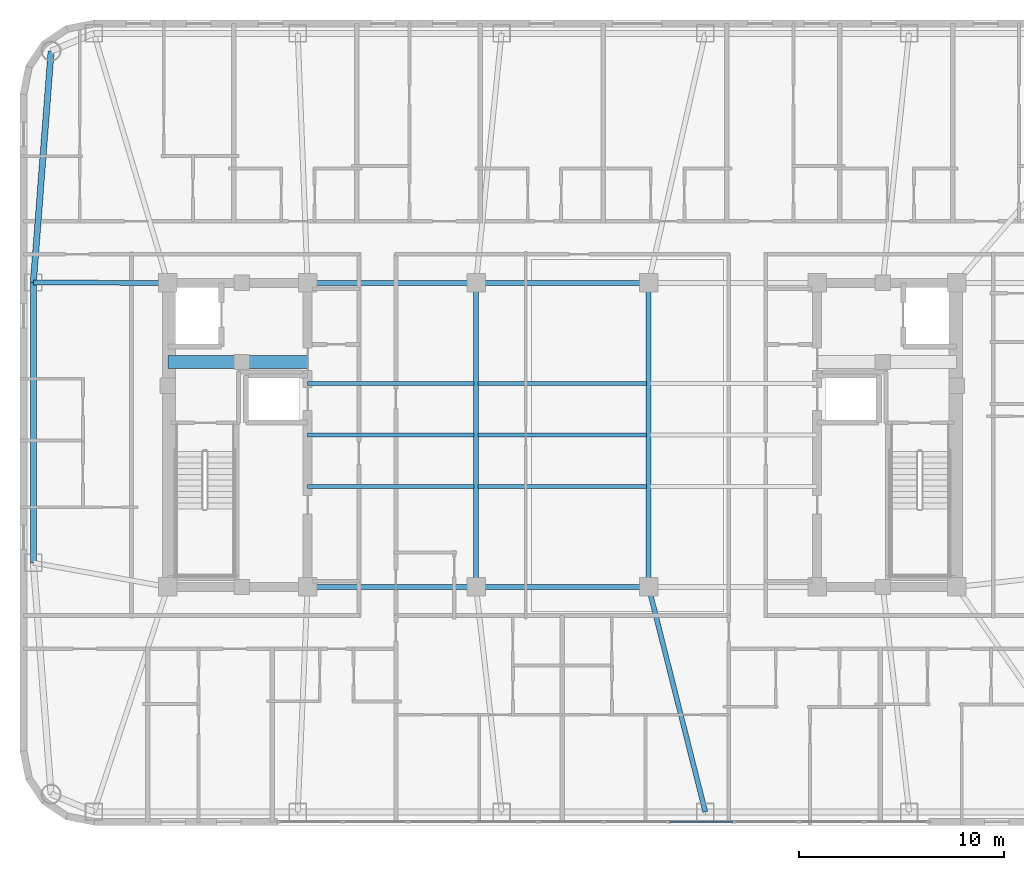
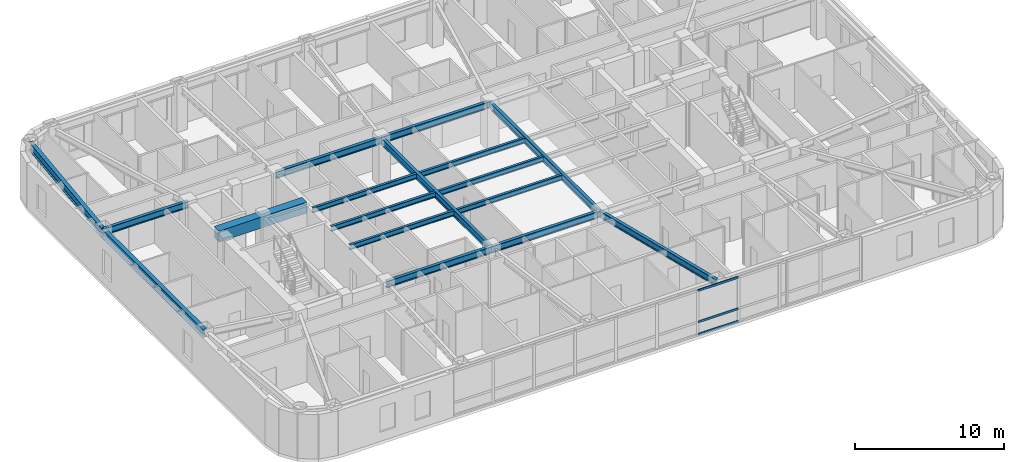
# One storey, part 5 of 16: 17 beams, 3 members, 1 element without a shape of its own.
"""IFC4 building model written with IfcOpenShell, lengths in metres."""

from ifc_helpers import new_model, si_unit, direction, frame, origin, origin_2d, place, context, subcontext, project, spatial, rectangle, hollow_rectangle, i_section, extrude, material, layer, layer_set, material_profile, profile_set, type_object, element, aggregate, save


model = new_model("IFC4")

# Units and contexts
model_context = context("Model", 3, precision=1e-05, world=origin(), true_north=direction((0.0, 1.0)))
body_context = subcontext(model_context, "Body", "Model", "MODEL_VIEW")
ifc_project = project(units=[si_unit("LENGTHUNIT", "METRE"), si_unit("AREAUNIT", "SQUARE_METRE"), si_unit("VOLUMEUNIT", "CUBIC_METRE"), si_unit("PLANEANGLEUNIT", "RADIAN"), si_unit("MASSUNIT", "GRAM", prefix="KILO")], contexts=[model_context])

# Site, building, storey
site_placement = place(None, origin())
site = spatial("IfcSite", under=ifc_project, at=site_placement, CompositionType="ELEMENT")
building_placement = place(site_placement, origin())
building = spatial("IfcBuilding", under=site, at=building_placement, Name="Voryun Gate Residences", CompositionType="ELEMENT")
storey_placement = place(building_placement, frame((0.0, 0.0, 208.0)))
storey = spatial("IfcBuildingStorey", under=building, at=storey_placement, Name="L51", CompositionType="ELEMENT", Elevation=208.0)

# Beams
ifc_material_1 = material(Name="Concrete C60/75", Category="concrete")
ifc_material_profile_1 = material_profile(ifc_material_1, rectangle(XDim=0.64990234375, YDim=0.89990234375, at=origin_2d()), Name="RC-650x900")
ifc_profile_set_1 = profile_set([ifc_material_profile_1], Name="Concrete C60/75")
beam_type_1 = type_object("IfcBeamType", Name="BM_COUP_RC900", PredefinedType="LINTEL", material=ifc_profile_set_1)
beam_1_placement = place(storey_placement, frame((-19.199951171875, 3.550048828125, 3.199951171875), z_axis=(1.0, 0.0, 0.0), x_axis=(0.0, 1.0, 0.0)))
element("IfcBeam", 1, at=beam_1_placement, inside=storey, type_object=beam_type_1, Name="BM-L51-WC1", PredefinedType="LINTEL", context=body_context, shape_type="SweptSolid", body=[
    extrude(rectangle(XDim=0.64990234375, YDim=0.89990234375, at=origin_2d()), origin(), (0.0, 0.0, 1.0), 6.800048828125),
])
ifc_material_2 = material(Name="Steel SM355", Category="steel")
ifc_material_profile_2 = material_profile(ifc_material_2, i_section(OverallWidth=0.300048828125, OverallDepth=0.679931640625, WebThickness=0.013916015625, FlangeThickness=0.02490234375, FilletRadius=0.01806640625, at=origin_2d()), Name="H-680x300x14x25")
ifc_profile_set_2 = profile_set([ifc_material_profile_2], Name="Steel SM355")
beam_type_2 = type_object("IfcBeamType", Name="BM_EXO_SPANDREL_M", PredefinedType="SPANDREL", material=ifc_profile_set_2)
beam_2_placement = place(storey_placement, frame((-24.885986328125, 18.68603515625, 3.31005859375), z_axis=(-0.076481657417, -0.997070988485, 0.0), x_axis=(0.997070988485, -0.076481657417, 0.0)))
element("IfcBeam", 2, at=beam_2_placement, inside=storey, type_object=beam_type_2, Name="BM-L51-SPAND-17", PredefinedType="SPANDREL", context=body_context, shape_type="SweptSolid", body=[
    extrude(i_section(OverallWidth=0.300048828125, OverallDepth=0.679931640625, WebThickness=0.013916015625, FlangeThickness=0.02490234375, FilletRadius=0.01806640625, at=origin_2d()), origin(), (0.0, 0.0, 1.0), 11.297119140625),
])
beam_3_placement = place(storey_placement, frame((-25.75, 7.422119140625, 3.31005859375), z_axis=(0.0, -1.0, 0.0), x_axis=(1.0, 0.0, 0.0)))
element("IfcBeam", 3, at=beam_3_placement, inside=storey, type_object=beam_type_2, Name="BM-L51-SPAND-18", PredefinedType="SPANDREL", context=body_context, shape_type="SweptSolid", body=[
    extrude(i_section(OverallWidth=0.300048828125, OverallDepth=0.679931640625, WebThickness=0.013916015625, FlangeThickness=0.02490234375, FilletRadius=0.01806640625, at=origin_2d()), origin(), (0.0, 0.0, 1.0), 13.64404296875),
])
ifc_material_3 = material(Name="Steel SM355", Category="steel")
ifc_material_profile_3 = material_profile(ifc_material_3, i_section(OverallWidth=0.239990234375, OverallDepth=0.550048828125, WebThickness=0.011962890625, FlangeThickness=0.02001953125, FilletRadius=0.01806640625, at=origin_2d()), Name="H-550x240x12x20")
ifc_profile_set_3 = profile_set([ifc_material_profile_3], Name="Steel SM355")
beam_type_3 = type_object("IfcBeamType", Name="BM_GIRD_550", PredefinedType="USERDEFINED", material=ifc_profile_set_3)
beam_4_placement = place(storey_placement, frame((-12.39990234375, -7.39990234375, 3.375), z_axis=(1.0, 0.0, 0.0), x_axis=(0.0, 1.0, 0.0)))
element("IfcBeam", 4, at=beam_4_placement, inside=storey, type_object=beam_type_3, Name="BM-L51-SPG1-S", ObjectType="GIRDER", PredefinedType="USERDEFINED", context=body_context, shape_type="SweptSolid", body=[
    extrude(i_section(OverallWidth=0.239990234375, OverallDepth=0.550048828125, WebThickness=0.011962890625, FlangeThickness=0.02001953125, FilletRadius=0.01806640625, at=origin_2d()), origin(), (0.0, 0.0, 1.0), 8.199951171875),
])
beam_5_placement = place(storey_placement, frame((-4.199951171875, -7.39990234375, 3.375), z_axis=(1.0, 0.0, 0.0), x_axis=(0.0, 1.0, 0.0)))
element("IfcBeam", 5, at=beam_5_placement, inside=storey, type_object=beam_type_3, Name="BM-L51-SPG2-S", ObjectType="GIRDER", PredefinedType="USERDEFINED", context=body_context, shape_type="SweptSolid", body=[
    extrude(i_section(OverallWidth=0.239990234375, OverallDepth=0.550048828125, WebThickness=0.011962890625, FlangeThickness=0.02001953125, FilletRadius=0.01806640625, at=origin_2d()), origin(), (0.0, 0.0, 1.0), 8.39990234375),
])
beam_6_placement = place(storey_placement, frame((-12.39990234375, 7.39990234375, 3.375), z_axis=(1.0, 0.0, 0.0), x_axis=(0.0, 1.0, 0.0)))
element("IfcBeam", 6, at=beam_6_placement, inside=storey, type_object=beam_type_3, Name="BM-L51-SPG1-N", ObjectType="GIRDER", PredefinedType="USERDEFINED", context=body_context, shape_type="SweptSolid", body=[
    extrude(i_section(OverallWidth=0.239990234375, OverallDepth=0.550048828125, WebThickness=0.011962890625, FlangeThickness=0.02001953125, FilletRadius=0.01806640625, at=origin_2d()), origin(), (0.0, 0.0, 1.0), 8.199951171875),
])
beam_7_placement = place(storey_placement, frame((-4.199951171875, 7.39990234375, 3.375), z_axis=(1.0, 0.0, 0.0), x_axis=(0.0, 1.0, 0.0)))
element("IfcBeam", 7, at=beam_7_placement, inside=storey, type_object=beam_type_3, Name="BM-L51-SPG2-N", ObjectType="GIRDER", PredefinedType="USERDEFINED", context=body_context, shape_type="SweptSolid", body=[
    extrude(i_section(OverallWidth=0.239990234375, OverallDepth=0.550048828125, WebThickness=0.011962890625, FlangeThickness=0.02001953125, FilletRadius=0.01806640625, at=origin_2d()), origin(), (0.0, 0.0, 1.0), 8.39990234375),
])
for number, where, z_axis, x_axis, name in (
    (8, (-4.199951171875, -7.39990234375, 3.375), (0.0, 1.0, 0.0), (-1.0, 0.0, 0.0), "BM-L51-SPX-W"),
    (9, (4.199951171875, -7.39990234375, 3.375), (0.0, 1.0, 0.0), (-1.0, 0.0, 0.0), "BM-L51-SPX-E"),
):
    element("IfcBeam", number, at=place(storey_placement, frame(where, z_axis=z_axis, x_axis=x_axis)), inside=storey, type_object=beam_type_3, Name=name, ObjectType="GIRDER", PredefinedType="USERDEFINED", context=body_context, shape_type="SweptSolid", body=[
        extrude(i_section(OverallWidth=0.239990234375, OverallDepth=0.550048828125, WebThickness=0.011962890625, FlangeThickness=0.02001953125, FilletRadius=0.01806640625, at=origin_2d()), origin(), (0.0, 0.0, 1.0), 14.7998046875),
    ])
beam_8_placement = place(storey_placement, frame((4.199951171875, -7.39990234375, 3.375), z_axis=(0.24440715799, -0.969672697936, 0.0), x_axis=(0.969672697936, 0.24440715799, 0.0)))
element("IfcBeam", 10, at=beam_8_placement, inside=storey, type_object=beam_type_3, Name="BM-L51-RAD-S4", ObjectType="GIRDER", PredefinedType="USERDEFINED", context=body_context, shape_type="SweptSolid", body=[
    extrude(i_section(OverallWidth=0.239990234375, OverallDepth=0.550048828125, WebThickness=0.011962890625, FlangeThickness=0.02001953125, FilletRadius=0.01806640625, at=origin_2d()), origin(), (0.0, 0.0, 1.0), 11.292724609375),
])
beam_9_placement = place(storey_placement, frame((-19.199951171875, 7.39990234375, 3.375), z_axis=(-0.999994247719, 0.003391832589, 0.0), x_axis=(-0.003391832589, -0.999994247719, 0.0)))
element("IfcBeam", 11, at=beam_9_placement, inside=storey, type_object=beam_type_3, Name="BM-L51-RAD-W1", ObjectType="GIRDER", PredefinedType="USERDEFINED", context=body_context, shape_type="SweptSolid", body=[
    extrude(i_section(OverallWidth=0.239990234375, OverallDepth=0.550048828125, WebThickness=0.011962890625, FlangeThickness=0.02001953125, FilletRadius=0.01806640625, at=origin_2d()), origin(), (0.0, 0.0, 1.0), 6.550048828125),
])
ifc_material_4 = material(Name="Steel SM355", Category="steel")
ifc_material_profile_4 = material_profile(ifc_material_4, i_section(OverallWidth=0.18994140625, OverallDepth=0.419921875, WebThickness=0.009033203125, FlangeThickness=0.01611328125, FilletRadius=0.01806640625, at=origin_2d()), Name="H-420x190x9x16")
ifc_profile_set_4 = profile_set([ifc_material_profile_4], Name="Steel SM355")
beam_type_4 = type_object("IfcBeamType", Name="BM_SEC_420", PredefinedType="BEAM", material=ifc_profile_set_4)
beam_10_placement = place(storey_placement, frame((-12.39990234375, -2.5, 3.43994140625), z_axis=(1.0, 0.0, 0.0), x_axis=(0.0, 1.0, 0.0)))
element("IfcBeam", 12, at=beam_10_placement, inside=storey, type_object=beam_type_4, Name="BM-L51-SEC-CS1", PredefinedType="BEAM", context=body_context, shape_type="SweptSolid", body=[
    extrude(i_section(OverallWidth=0.18994140625, OverallDepth=0.419921875, WebThickness=0.009033203125, FlangeThickness=0.01611328125, FilletRadius=0.01806640625, at=origin_2d()), origin(), (0.0, 0.0, 1.0), 8.099853515625),
])
beam_11_placement = place(storey_placement, frame((-4.10009765625, -2.5, 3.43994140625), z_axis=(1.0, 0.0, 0.0), x_axis=(0.0, 1.0, 0.0)))
element("IfcBeam", 13, at=beam_11_placement, inside=storey, type_object=beam_type_4, Name="BM-L51-SEC-CS2", PredefinedType="BEAM", context=body_context, shape_type="SweptSolid", body=[
    extrude(i_section(OverallWidth=0.18994140625, OverallDepth=0.419921875, WebThickness=0.009033203125, FlangeThickness=0.01611328125, FilletRadius=0.01806640625, at=origin_2d()), origin(), (0.0, 0.0, 1.0), 8.2001953125),
])
beam_12_placement = place(storey_placement, frame((-12.39990234375, 0.0, 3.43994140625), z_axis=(1.0, 0.0, 0.0), x_axis=(0.0, 1.0, 0.0)))
element("IfcBeam", 14, at=beam_12_placement, inside=storey, type_object=beam_type_4, Name="BM-L51-SEC-CM1", PredefinedType="BEAM", context=body_context, shape_type="SweptSolid", body=[
    extrude(i_section(OverallWidth=0.18994140625, OverallDepth=0.419921875, WebThickness=0.009033203125, FlangeThickness=0.01611328125, FilletRadius=0.01806640625, at=origin_2d()), origin(), (0.0, 0.0, 1.0), 8.099853515625),
])
beam_13_placement = place(storey_placement, frame((-4.10009765625, 0.0, 3.43994140625), z_axis=(1.0, 0.0, 0.0), x_axis=(0.0, 1.0, 0.0)))
element("IfcBeam", 15, at=beam_13_placement, inside=storey, type_object=beam_type_4, Name="BM-L51-SEC-CM2", PredefinedType="BEAM", context=body_context, shape_type="SweptSolid", body=[
    extrude(i_section(OverallWidth=0.18994140625, OverallDepth=0.419921875, WebThickness=0.009033203125, FlangeThickness=0.01611328125, FilletRadius=0.01806640625, at=origin_2d()), origin(), (0.0, 0.0, 1.0), 8.2001953125),
])
beam_14_placement = place(storey_placement, frame((-12.39990234375, 2.5, 3.43994140625), z_axis=(1.0, 0.0, 0.0), x_axis=(0.0, 1.0, 0.0)))
element("IfcBeam", 16, at=beam_14_placement, inside=storey, type_object=beam_type_4, Name="BM-L51-SEC-CN1", PredefinedType="BEAM", context=body_context, shape_type="SweptSolid", body=[
    extrude(i_section(OverallWidth=0.18994140625, OverallDepth=0.419921875, WebThickness=0.009033203125, FlangeThickness=0.01611328125, FilletRadius=0.01806640625, at=origin_2d()), origin(), (0.0, 0.0, 1.0), 8.099853515625),
])
beam_15_placement = place(storey_placement, frame((-4.10009765625, 2.5, 3.43994140625), z_axis=(1.0, 0.0, 0.0), x_axis=(0.0, 1.0, 0.0)))
element("IfcBeam", 17, at=beam_15_placement, inside=storey, type_object=beam_type_4, Name="BM-L51-SEC-CN2", PredefinedType="BEAM", context=body_context, shape_type="SweptSolid", body=[
    extrude(i_section(OverallWidth=0.18994140625, OverallDepth=0.419921875, WebThickness=0.009033203125, FlangeThickness=0.01611328125, FilletRadius=0.01806640625, at=origin_2d()), origin(), (0.0, 0.0, 1.0), 8.2001953125),
])

# Curtain wall, members
ifc_material_5 = material(Name="Anodised aluminium", Category="aluminium")
ifc_layer = layer(ifc_material_5, 0.2099609375, Name="CW_SYS_SKYGARDEN_DARK_GLASS")
ifc_layer_set = layer_set([ifc_layer], Name="Anodised aluminium")
curtain_wall_type = type_object("IfcCurtainWallType", Name="CW_SYS_SKYGARDEN_DARK_GLASS", PredefinedType="NOTDEFINED", material=ifc_layer_set)
curtain_wall_placement = place(storey_placement, origin())
curtain_wall = element("IfcCurtainWall", 18, at=curtain_wall_placement, inside=storey, type_object=curtain_wall_type, Name="Curtain wall CW5-L51-SG-01", PredefinedType="NOTDEFINED")
ifc_material_6 = material(Name="Anodised aluminium", Category="aluminium")
ifc_material_profile_5 = material_profile(ifc_material_6, hollow_rectangle(XDim=0.074951171875, YDim=0.169921875, WallThickness=0.0048828125, at=origin_2d()), Name="ALU-TRAN-170x75x5")
ifc_profile_set_5 = profile_set([ifc_material_profile_5], Name="Anodised aluminium")
member_type = type_object("IfcMemberType", Name="CW_TRAN_SKY", PredefinedType="USERDEFINED", material=ifc_profile_set_5)
member_1_placement = place(storey_placement, frame((8.314453125, -18.830078125, 0.030029296875), z_axis=(-1.0, 0.0, 0.0), x_axis=(0.0, -1.0, 0.0)))
member_1 = element("IfcMember", 19, at=member_1_placement, type_object=member_type, Name="CW5 transom 4.1", ObjectType="TRANSOM", PredefinedType="USERDEFINED", context=body_context, shape_type="SweptSolid", body=[
    extrude(hollow_rectangle(XDim=0.074951171875, YDim=0.169921875, WallThickness=0.0048828125, at=origin_2d()), origin(), (0.0, 0.0, 1.0), 3.1123046875),
])
member_2_placement = place(storey_placement, frame((8.314453125, -18.830078125, 1.050048828125), z_axis=(-1.0, 0.0, 0.0), x_axis=(0.0, -1.0, 0.0)))
member_2 = element("IfcMember", 20, at=member_2_placement, type_object=member_type, Name="CW5 transom 4.2", ObjectType="TRANSOM", PredefinedType="USERDEFINED", context=body_context, shape_type="SweptSolid", body=[
    extrude(hollow_rectangle(XDim=0.074951171875, YDim=0.169921875, WallThickness=0.0048828125, at=origin_2d()), origin(), (0.0, 0.0, 1.0), 3.1123046875),
])
member_3_placement = place(storey_placement, frame((8.314453125, -18.830078125, 3.6201171875), z_axis=(-1.0, 0.0, 0.0), x_axis=(0.0, -1.0, 0.0)))
member_3 = element("IfcMember", 21, at=member_3_placement, type_object=member_type, Name="CW5 transom 4.3", ObjectType="TRANSOM", PredefinedType="USERDEFINED", context=body_context, shape_type="SweptSolid", body=[
    extrude(hollow_rectangle(XDim=0.074951171875, YDim=0.169921875, WallThickness=0.0048828125, at=origin_2d()), origin(), (0.0, 0.0, 1.0), 3.1123046875),
])
aggregate(curtain_wall, [member_1, member_2, member_3])

save(model, "model.ifc")
